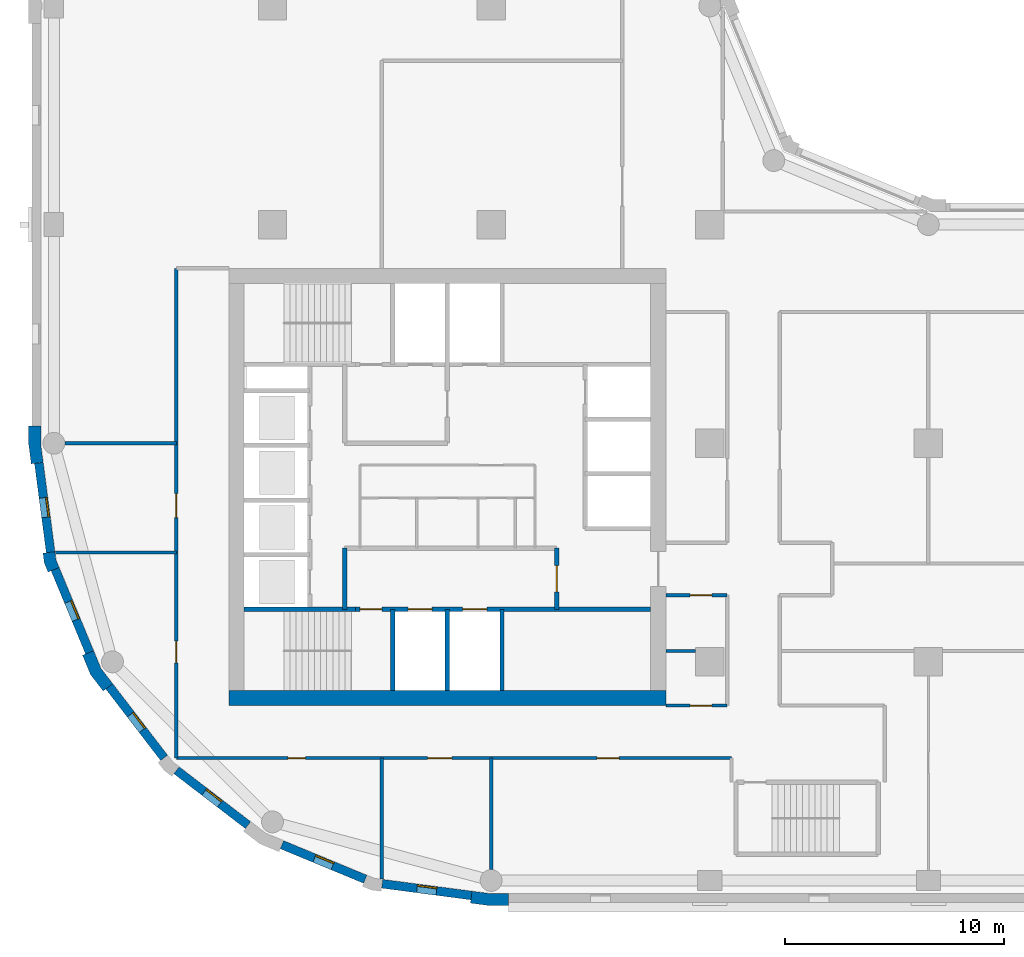
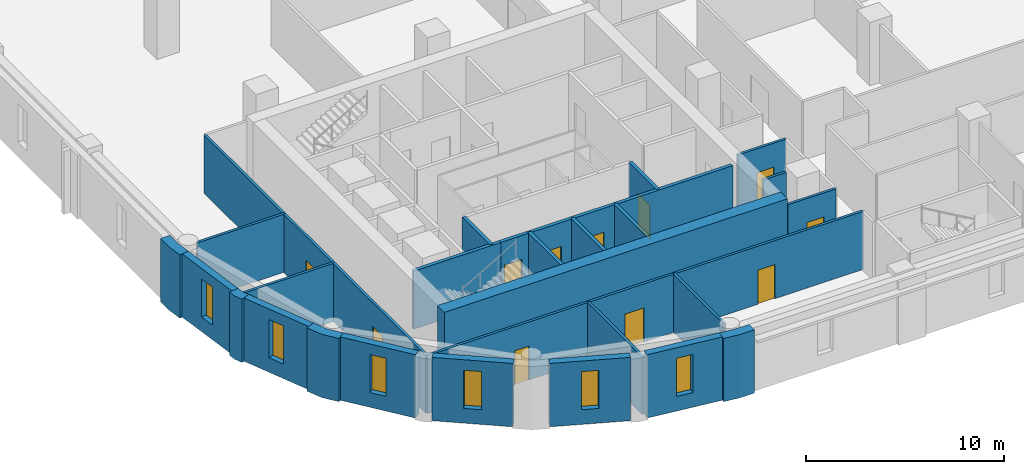
# One storey, part 2 of 9: 27 walls, 11 doors, 6 windows, 17 openings.
"""IFC4 building model written with IfcOpenShell, lengths in metres."""

from ifc_helpers import new_model, si_unit, direction, frame, frame_2d, origin, place, context, subcontext, project, spatial, polyline, rectangle, outline, extrude, material, layer, layer_set, type_object, element, fill, save


model = new_model("IFC4")

# Units and contexts
model_context = context("Model", 3, precision=1e-05, world=origin(), true_north=direction((0.0, 1.0)))
body_context = subcontext(model_context, "Body", "Model", "MODEL_VIEW")
ifc_project = project(units=[si_unit("LENGTHUNIT", "METRE"), si_unit("AREAUNIT", "SQUARE_METRE"), si_unit("VOLUMEUNIT", "CUBIC_METRE"), si_unit("PLANEANGLEUNIT", "RADIAN"), si_unit("MASSUNIT", "GRAM", prefix="KILO")], contexts=[model_context])

# Site, building, storey
site_placement = place(None, origin())
site = spatial("IfcSite", under=ifc_project, at=site_placement, CompositionType="ELEMENT")
building_placement = place(site_placement, origin())
building = spatial("IfcBuilding", under=site, at=building_placement, Name="Qaws Garden Tower", CompositionType="ELEMENT")
storey_placement = place(building_placement, frame((0.0, 0.0, 198.0)))
storey = spatial("IfcBuildingStorey", under=building, at=storey_placement, Name="L48", CompositionType="ELEMENT", Elevation=198.0)

# Wall, opening, window
ifc_material_1 = material(Name="Clay facing brick masonry", Category="masonry")
ifc_layer_1 = layer(ifc_material_1, 0.39990234375)
ifc_layer_set_1 = layer_set([ifc_layer_1], Name="Clay facing brick masonry")
wall_type_1 = type_object("IfcWallType", Name="Brick infill wall 400", PredefinedType="SOLIDWALL", material=ifc_layer_set_1)
wall_1_placement = place(storey_placement, frame((-0.688720703125, 19.102294921875, 0.0), z_axis=(0.0, 0.0, 1.0), x_axis=(0.130514280502, -0.991446429508, 0.0)))
wall_1 = element("IfcWall", 1, at=wall_1_placement, inside=storey, type_object=wall_type_1, Name="E-L48-infill-25", PredefinedType="SOLIDWALL", context=body_context, shape_type="SweptSolid", body=[
    extrude(rectangle(XDim=4.120849609375, YDim=0.39990234375, at=frame_2d((2.060546875, 0.0))), origin(), (0.0, 0.0, 1.0), 3.89990234375),
])
opening_1_placement = place(wall_1_placement, frame((1.610595703125, 0.0, 0.89990234375)))
opening_1 = element("IfcOpeningElement", 2, at=opening_1_placement, cuts=wall_1, Name="Opening W09", PredefinedType="OPENING", context=body_context, shape_type="SweptSolid", body=[
    extrude(rectangle(XDim=0.89990234375, YDim=2.35009765625, at=frame_2d((0.449951171875, 1.175048828125))), frame((0.0, 0.2099609375, 0.0), z_axis=(0.0, -1.0, 0.0), x_axis=(1.0, 0.0, 0.0)), (0.0, 0.0, 1.0), 0.419921875),
])
ifc_material_2 = material(Name="Aluminium framed window, clear glazing", Category="aluminium")
window_type = type_object("IfcWindowType", Name="Slit window 900 x 2350", PartitioningType="SINGLE_PANEL", PredefinedType="WINDOW", material=ifc_material_2)
window_1_placement = place(opening_1_placement, origin())
window_1 = element("IfcWindow", 3, at=window_1_placement, inside=storey, type_object=window_type, Name="E-L48-window-25-0", OverallHeight=2.35009765625, OverallWidth=0.89990234375, PartitioningType="SINGLE_PANEL", PredefinedType="WINDOW", context=body_context, shape_type="SweptSolid", body=[
    extrude(rectangle(XDim=0.89990234375, YDim=2.35009765625, at=frame_2d((0.449951171875, 1.175048828125))), frame((0.0, 0.159912109375, 0.0), z_axis=(0.0, -1.0, 0.0), x_axis=(1.0, 0.0, 0.0)), (0.0, 0.0, 1.0), 0.06005859375),
])
fill(opening_1, window_1)

wall_2_placement = place(storey_placement, frame((0.05712890625, 14.240234375, 0.0), z_axis=(0.0, 0.0, 1.0), x_axis=(0.382721546029, -0.923863744394, 0.0)))
wall_2 = element("IfcWall", 4, at=wall_2_placement, inside=storey, type_object=wall_type_1, Name="E-L48-infill-26", PredefinedType="SOLIDWALL", context=body_context, shape_type="SweptSolid", body=[
    extrude(rectangle(XDim=4.120849609375, YDim=0.39990234375, at=frame_2d((2.060546875, 0.0))), origin(), (0.0, 0.0, 1.0), 3.89990234375),
])
opening_2_placement = place(wall_2_placement, frame((1.610595703125, 0.0, 0.89990234375)))
opening_2 = element("IfcOpeningElement", 5, at=opening_2_placement, cuts=wall_2, Name="Opening W09", PredefinedType="OPENING", context=body_context, shape_type="SweptSolid", body=[
    extrude(rectangle(XDim=0.89990234375, YDim=2.35009765625, at=frame_2d((0.449951171875, 1.175048828125))), frame((0.0, 0.2099609375, 0.0), z_axis=(0.0, -1.0, 0.0), x_axis=(1.0, 0.0, 0.0)), (0.0, 0.0, 1.0), 0.419921875),
])
window_2_placement = place(opening_2_placement, origin())
window_2 = element("IfcWindow", 6, at=window_2_placement, inside=storey, type_object=window_type, Name="E-L48-window-26-0", OverallHeight=2.35009765625, OverallWidth=0.89990234375, PartitioningType="SINGLE_PANEL", PredefinedType="WINDOW", context=body_context, shape_type="SweptSolid", body=[
    extrude(rectangle(XDim=0.89990234375, YDim=2.35009765625, at=frame_2d((0.449951171875, 1.175048828125))), frame((0.0, 0.159912109375, 0.0), z_axis=(0.0, -1.0, 0.0), x_axis=(1.0, 0.0, 0.0)), (0.0, 0.0, 1.0), 0.06005859375),
])
fill(opening_2, window_2)

wall_3_placement = place(storey_placement, frame((2.53173828125, 8.87841796875, 0.0), z_axis=(0.0, 0.0, 1.0), x_axis=(0.608759824817, -0.793354571229, 0.0)))
wall_3 = element("IfcWall", 7, at=wall_3_placement, inside=storey, type_object=wall_type_1, Name="E-L48-infill-27", PredefinedType="SOLIDWALL", context=body_context, shape_type="SweptSolid", body=[
    extrude(rectangle(XDim=4.12109375, YDim=0.39990234375, at=frame_2d((2.060546875, 0.0))), origin(), (0.0, 0.0, 1.0), 3.89990234375),
])
opening_3_placement = place(wall_3_placement, frame((1.610595703125, 0.0, 0.89990234375)))
opening_3 = element("IfcOpeningElement", 8, at=opening_3_placement, cuts=wall_3, Name="Opening W09", PredefinedType="OPENING", context=body_context, shape_type="SweptSolid", body=[
    extrude(rectangle(XDim=0.89990234375, YDim=2.35009765625, at=frame_2d((0.449951171875, 1.175048828125))), frame((0.0, 0.2099609375, 0.0), z_axis=(0.0, -1.0, 0.0), x_axis=(1.0, 0.0, 0.0)), (0.0, 0.0, 1.0), 0.419921875),
])
window_3_placement = place(opening_3_placement, origin())
window_3 = element("IfcWindow", 9, at=window_3_placement, inside=storey, type_object=window_type, Name="E-L48-window-27-0", OverallHeight=2.35009765625, OverallWidth=0.89990234375, PartitioningType="SINGLE_PANEL", PredefinedType="WINDOW", context=body_context, shape_type="SweptSolid", body=[
    extrude(rectangle(XDim=0.89990234375, YDim=2.35009765625, at=frame_2d((0.449951171875, 1.175048828125))), frame((0.0, 0.159912109375, 0.0), z_axis=(0.0, -1.0, 0.0), x_axis=(1.0, 0.0, 0.0)), (0.0, 0.0, 1.0), 0.06005859375),
])
fill(opening_3, window_3)

wall_4_placement = place(storey_placement, frame((5.60888671875, 5.04052734375, 0.0), z_axis=(0.0, 0.0, 1.0), x_axis=(0.793354571229, -0.608759824817, 0.0)))
wall_4 = element("IfcWall", 10, at=wall_4_placement, inside=storey, type_object=wall_type_1, Name="E-L48-infill-28", PredefinedType="SOLIDWALL", context=body_context, shape_type="SweptSolid", body=[
    extrude(rectangle(XDim=4.12109375, YDim=0.39990234375, at=frame_2d((2.060546875, 0.0))), origin(), (0.0, 0.0, 1.0), 3.89990234375),
])
opening_4_placement = place(wall_4_placement, frame((1.610595703125, 0.0, 0.89990234375)))
opening_4 = element("IfcOpeningElement", 11, at=opening_4_placement, cuts=wall_4, Name="Opening W09", PredefinedType="OPENING", context=body_context, shape_type="SweptSolid", body=[
    extrude(rectangle(XDim=0.89990234375, YDim=2.35009765625, at=frame_2d((0.449951171875, 1.175048828125))), frame((0.0, 0.2099609375, 0.0), z_axis=(0.0, -1.0, 0.0), x_axis=(1.0, 0.0, 0.0)), (0.0, 0.0, 1.0), 0.419921875),
])
window_4_placement = place(opening_4_placement, origin())
window_4 = element("IfcWindow", 12, at=window_4_placement, inside=storey, type_object=window_type, Name="E-L48-window-28-0", OverallHeight=2.35009765625, OverallWidth=0.89990234375, PartitioningType="SINGLE_PANEL", PredefinedType="WINDOW", context=body_context, shape_type="SweptSolid", body=[
    extrude(rectangle(XDim=0.89990234375, YDim=2.35009765625, at=frame_2d((0.449951171875, 1.175048828125))), frame((0.0, 0.159912109375, 0.0), z_axis=(0.0, -1.0, 0.0), x_axis=(1.0, 0.0, 0.0)), (0.0, 0.0, 1.0), 0.06005859375),
])
fill(opening_4, window_4)

wall_5_placement = place(storey_placement, frame((10.43310546875, 1.63427734375, 0.0), z_axis=(0.0, 0.0, 1.0), x_axis=(0.923863744394, -0.382721546029, 0.0)))
wall_5 = element("IfcWall", 13, at=wall_5_placement, inside=storey, type_object=wall_type_1, Name="E-L48-infill-29", PredefinedType="SOLIDWALL", context=body_context, shape_type="SweptSolid", body=[
    extrude(rectangle(XDim=4.120849609375, YDim=0.39990234375, at=frame_2d((2.060546875, 0.0))), origin(), (0.0, 0.0, 1.0), 3.89990234375),
])
opening_5_placement = place(wall_5_placement, frame((1.610595703125, 0.0, 0.89990234375)))
opening_5 = element("IfcOpeningElement", 14, at=opening_5_placement, cuts=wall_5, Name="Opening W09", PredefinedType="OPENING", context=body_context, shape_type="SweptSolid", body=[
    extrude(rectangle(XDim=0.89990234375, YDim=2.35009765625, at=frame_2d((0.449951171875, 1.175048828125))), frame((0.0, 0.2099609375, 0.0), z_axis=(0.0, -1.0, 0.0), x_axis=(1.0, 0.0, 0.0)), (0.0, 0.0, 1.0), 0.419921875),
])
window_5_placement = place(opening_5_placement, origin())
window_5 = element("IfcWindow", 15, at=window_5_placement, inside=storey, type_object=window_type, Name="E-L48-window-29-0", OverallHeight=2.35009765625, OverallWidth=0.89990234375, PartitioningType="SINGLE_PANEL", PredefinedType="WINDOW", context=body_context, shape_type="SweptSolid", body=[
    extrude(rectangle(XDim=0.89990234375, YDim=2.35009765625, at=frame_2d((0.449951171875, 1.175048828125))), frame((0.0, 0.159912109375, 0.0), z_axis=(0.0, -1.0, 0.0), x_axis=(1.0, 0.0, 0.0)), (0.0, 0.0, 1.0), 0.06005859375),
])
fill(opening_5, window_5)

wall_6_placement = place(storey_placement, frame((15.0166015625, -0.15087890625, 0.0), z_axis=(0.0, 0.0, 1.0), x_axis=(0.991446429508, -0.130514280502, 0.0)))
wall_6 = element("IfcWall", 16, at=wall_6_placement, inside=storey, type_object=wall_type_1, Name="E-L48-infill-30", PredefinedType="SOLIDWALL", context=body_context, shape_type="SweptSolid", body=[
    extrude(rectangle(XDim=4.120849609375, YDim=0.39990234375, at=frame_2d((2.060546875, 0.0))), origin(), (0.0, 0.0, 1.0), 3.89990234375),
])
opening_6_placement = place(wall_6_placement, frame((1.610595703125, 0.0, 0.89990234375)))
opening_6 = element("IfcOpeningElement", 17, at=opening_6_placement, cuts=wall_6, Name="Opening W09", PredefinedType="OPENING", context=body_context, shape_type="SweptSolid", body=[
    extrude(rectangle(XDim=0.89990234375, YDim=2.35009765625, at=frame_2d((0.449951171875, 1.175048828125))), frame((0.0, 0.2099609375, 0.0), z_axis=(0.0, -1.0, 0.0), x_axis=(1.0, 0.0, 0.0)), (0.0, 0.0, 1.0), 0.419921875),
])
window_6_placement = place(opening_6_placement, origin())
window_6 = element("IfcWindow", 18, at=window_6_placement, inside=storey, type_object=window_type, Name="E-L48-window-30-0", OverallHeight=2.35009765625, OverallWidth=0.89990234375, PartitioningType="SINGLE_PANEL", PredefinedType="WINDOW", context=body_context, shape_type="SweptSolid", body=[
    extrude(rectangle(XDim=0.89990234375, YDim=2.35009765625, at=frame_2d((0.449951171875, 1.175048828125))), frame((0.0, 0.159912109375, 0.0), z_axis=(0.0, -1.0, 0.0), x_axis=(1.0, 0.0, 0.0)), (0.0, 0.0, 1.0), 0.06005859375),
])
fill(opening_6, window_6)

# Walls
ifc_material_3 = material(Name="Clay facing brick masonry", Category="masonry")
ifc_layer_2 = layer(ifc_material_3, 0.550048828125)
ifc_layer_set_2 = layer_set([ifc_layer_2], Name="Clay facing brick masonry")
wall_type_2 = type_object("IfcWallType", Name="Brick kink pier 550 x 600", PredefinedType="SOLIDWALL", material=ifc_layer_set_2)
placement = place(storey_placement, origin())
element("IfcWall", 19, at=placement, inside=storey, type_object=wall_type_2, Name="E-L48-pier-26", PredefinedType="SOLIDWALL", context=body_context, shape_type="SweptSolid", body=[
    extrude(outline(polyline([(-0.34912109375, 14.990478515625), (-0.497802734375, 14.970947265625), (-0.43896484375, 14.5234375), (-0.26611328125, 14.1064453125), (-0.127685546875, 14.163818359375), (0.241943359375, 14.31689453125), (0.096923828125, 14.6669921875), (0.04736328125, 15.042724609375), (-0.34912109375, 14.990478515625)])), origin(), (0.0, 0.0, 1.0), 3.89990234375),
])
ifc_material_4 = material(Name="Clay facing brick masonry", Category="masonry")
ifc_layer_3 = layer(ifc_material_4, 0.550048828125)
ifc_layer_set_3 = layer_set([ifc_layer_3], Name="Clay facing brick masonry")
wall_type_3 = type_object("IfcWallType", Name="Brick pier 550 x 1600", PredefinedType="SOLIDWALL", material=ifc_layer_set_3)
element("IfcWall", 20, at=placement, inside=storey, type_object=wall_type_3, Name="E-L48-pier-00", PredefinedType="SOLIDWALL", context=body_context, shape_type="SweptSolid", body=[
    extrude(outline(polyline([(19.076416015625, -0.886962890625), (19.056640625, -1.03564453125), (19.924560546875, -1.14990234375), (20.800048828125, -1.14990234375), (20.800048828125, -1.0), (20.800048828125, -0.60009765625), (19.960693359375, -0.60009765625), (19.12841796875, -0.490478515625), (19.076416015625, -0.886962890625)])), origin(), (0.0, 0.0, 1.0), 3.89990234375),
])
element("IfcWall", 21, at=placement, inside=storey, type_object=wall_type_3, Name="E-L48-pier-25", PredefinedType="SOLIDWALL", context=body_context, shape_type="SweptSolid", body=[
    extrude(outline(polyline([(-1.0, 20.800048828125), (-1.14990234375, 20.800048828125), (-1.14990234375, 19.924560546875), (-1.03564453125, 19.056640625), (-0.886962890625, 19.076416015625), (-0.490478515625, 19.12841796875), (-0.60009765625, 19.960693359375), (-0.60009765625, 20.800048828125), (-1.0, 20.800048828125)])), origin(), (0.0, 0.0, 1.0), 3.89990234375),
])
element("IfcWall", 22, at=placement, inside=storey, type_object=wall_type_3, Name="E-L48-pier-27", PredefinedType="SOLIDWALL", context=body_context, shape_type="SweptSolid", body=[
    extrude(outline(polyline([(1.449462890625, 10.3564453125), (1.310791015625, 10.299072265625), (1.675048828125, 9.419921875), (2.254150390625, 8.665283203125), (2.373046875, 8.756591796875), (2.6904296875, 9.0), (2.1552734375, 9.697509765625), (1.819091796875, 10.509521484375), (1.449462890625, 10.3564453125)])), origin(), (0.0, 0.0, 1.0), 3.89990234375),
])
ifc_material_5 = material(Name="Concrete C70", Category="concrete")
ifc_layer_4 = layer(ifc_material_5, 0.199951171875)
ifc_layer_set_4 = layer_set([ifc_layer_4], Name="Concrete C70")
wall_type_4 = type_object("IfcWallType", Name="Core shaft wall 200 C70", PredefinedType="SHEAR", material=ifc_layer_set_4)
wall_11_placement = place(storey_placement, frame((8.699951171875, 12.39990234375, 0.0), z_axis=(0.0, 0.0, 1.0), x_axis=(1.0, 0.0, 0.0)))
element("IfcWall", 23, at=wall_11_placement, inside=storey, type_object=wall_type_4, Name="Shaft wall", PredefinedType="SHEAR", context=body_context, shape_type="SweptSolid", body=[
    extrude(rectangle(XDim=5.10009765625, YDim=0.199951171875, at=frame_2d((2.550048828125, 0.0))), origin(), (0.0, 0.0, 1.0), 3.580078125),
])

# Wall, openings, doors
wall_12_placement = place(storey_placement, frame((13.800048828125, 12.39990234375, 0.0), z_axis=(0.0, 0.0, 1.0), x_axis=(1.0, 0.0, 0.0)))
wall_12 = element("IfcWall", 24, at=wall_12_placement, inside=storey, type_object=wall_type_4, Name="Shaft wall", PredefinedType="SHEAR", context=body_context, shape_type="SweptSolid", body=[
    extrude(rectangle(XDim=13.5, YDim=0.199951171875, at=frame_2d((6.75, 0.0))), origin(), (0.0, 0.0, 1.0), 3.580078125),
])
opening_7_placement = place(wall_12_placement, frame((2.39990234375, 0.0, 0.0)))
opening_7 = element("IfcOpeningElement", 25, at=opening_7_placement, cuts=wall_12, Name="Opening LD06", PredefinedType="OPENING", context=body_context, shape_type="SweptSolid", body=[
    extrude(rectangle(XDim=1.10009765625, YDim=2.10009765625, at=frame_2d((0.550048828125, 1.050048828125))), frame((0.0, 0.10986328125, 0.0), z_axis=(0.0, -1.0, 0.0), x_axis=(1.0, 0.0, 0.0)), (0.0, 0.0, 1.0), 0.219970703125),
])
opening_8_placement = place(wall_12_placement, frame((4.89990234375, 0.0, 0.0)))
opening_8 = element("IfcOpeningElement", 26, at=opening_8_placement, cuts=wall_12, Name="Opening LD07", PredefinedType="OPENING", context=body_context, shape_type="SweptSolid", body=[
    extrude(rectangle(XDim=1.10009765625, YDim=2.10009765625, at=frame_2d((0.550048828125, 1.050048828125))), frame((0.0, 0.10986328125, 0.0), z_axis=(0.0, -1.0, 0.0), x_axis=(1.0, 0.0, 0.0)), (0.0, 0.0, 1.0), 0.219970703125),
])
opening_9_placement = place(wall_12_placement, frame((0.199951171875, 0.0, 0.0)))
opening_9 = element("IfcOpeningElement", 27, at=opening_9_placement, cuts=wall_12, Name="Opening SD10", PredefinedType="OPENING", context=body_context, shape_type="SweptSolid", body=[
    extrude(rectangle(XDim=1.0, YDim=2.10009765625, at=frame_2d((0.5, 1.050048828125))), frame((0.0, 0.10986328125, 0.0), z_axis=(0.0, -1.0, 0.0), x_axis=(1.0, 0.0, 0.0)), (0.0, 0.0, 1.0), 0.219970703125),
])
ifc_material_6 = material(Name="Steel S235", Category="steel")
door_type_1 = type_object("IfcDoorType", Name="Landing door 1100x2100", OperationType="DOUBLE_DOOR_SLIDING", PredefinedType="DOOR", material=ifc_material_6)
door_1_placement = place(opening_7_placement, origin())
door_1 = element("IfcDoor", 28, at=door_1_placement, inside=storey, type_object=door_type_1, Name="Lift FF1 landing door", OperationType="DOUBLE_DOOR_SLIDING", OverallHeight=2.10009765625, OverallWidth=1.10009765625, PredefinedType="DOOR", context=body_context, shape_type="SweptSolid", body=[
    extrude(rectangle(XDim=1.10009765625, YDim=2.10009765625, at=frame_2d((0.550048828125, 1.050048828125))), frame((0.0, 0.02490234375, 0.0), z_axis=(0.0, -1.0, 0.0), x_axis=(1.0, 0.0, 0.0)), (0.0, 0.0, 1.0), 0.050048828125),
])
fill(opening_7, door_1)
door_2_placement = place(opening_8_placement, origin())
door_2 = element("IfcDoor", 29, at=door_2_placement, inside=storey, type_object=door_type_1, Name="Lift FF2 landing door", OperationType="DOUBLE_DOOR_SLIDING", OverallHeight=2.10009765625, OverallWidth=1.10009765625, PredefinedType="DOOR", context=body_context, shape_type="SweptSolid", body=[
    extrude(rectangle(XDim=1.10009765625, YDim=2.10009765625, at=frame_2d((0.550048828125, 1.050048828125))), frame((0.0, 0.02490234375, 0.0), z_axis=(0.0, -1.0, 0.0), x_axis=(1.0, 0.0, 0.0)), (0.0, 0.0, 1.0), 0.050048828125),
])
fill(opening_8, door_2)
ifc_material_7 = material(Name="Steel S235", Category="steel")
door_type_2 = type_object("IfcDoorType", Name="Stair door 1000x2100", OperationType="SINGLE_SWING_RIGHT", PredefinedType="DOOR", material=ifc_material_7)
door_3_placement = place(opening_9_placement, frame((1.0, 0.0, 0.0), z_axis=(0.0, 0.0, 1.0), x_axis=(-1.0, 0.0, 0.0)))
door_3 = element("IfcDoor", 30, at=door_3_placement, inside=storey, type_object=door_type_2, Name="Stair 1 door", OperationType="SINGLE_SWING_LEFT", OverallHeight=2.10009765625, OverallWidth=1.0, PredefinedType="DOOR", context=body_context, shape_type="SweptSolid", body=[
    extrude(rectangle(XDim=1.0, YDim=2.10009765625, at=frame_2d((0.5, 1.050048828125))), frame((0.0, 0.02490234375, 0.0), z_axis=(0.0, -1.0, 0.0), x_axis=(1.0, 0.0, 0.0)), (0.0, 0.0, 1.0), 0.050048828125),
])
fill(opening_9, door_3)

# Walls
wall_13_placement = place(storey_placement, frame((13.300048828125, 12.39990234375, 0.0), z_axis=(0.0, 0.0, 1.0), x_axis=(0.0, 1.0, 0.0)))
element("IfcWall", 31, at=wall_13_placement, inside=storey, type_object=wall_type_4, Name="Shaft wall", PredefinedType="SHEAR", context=body_context, shape_type="SweptSolid", body=[
    extrude(rectangle(XDim=2.800048828125, YDim=0.199951171875, at=frame_2d((1.39990234375, 0.0))), origin(), (0.0, 0.0, 1.0), 3.580078125),
])
for number, where, z_axis, x_axis, name in (
    (32, (15.5, 8.699951171875, 0.0), (0.0, 0.0, 1.0), (0.0, 1.0, 0.0), "Shaft wall"),
    (33, (18.0, 8.699951171875, 0.0), (0.0, 0.0, 1.0), (0.0, 1.0, 0.0), "Shaft wall"),
    (34, (20.5, 8.699951171875, 0.0), (0.0, 0.0, 1.0), (0.0, 1.0, 0.0), "Shaft wall"),
):
    element("IfcWall", number, at=place(storey_placement, frame(where, z_axis=z_axis, x_axis=x_axis)), inside=storey, type_object=wall_type_4, Name=name, PredefinedType="SHEAR", context=body_context, shape_type="SweptSolid", body=[
        extrude(rectangle(XDim=3.699951171875, YDim=0.199951171875, at=frame_2d((1.85009765625, 0.0))), origin(), (0.0, 0.0, 1.0), 3.580078125),
    ])

# Wall, opening, door
wall_14_placement = place(storey_placement, frame((23.0, 12.39990234375, 0.0), z_axis=(0.0, 0.0, 1.0), x_axis=(0.0, 1.0, 0.0)))
wall_14 = element("IfcWall", 35, at=wall_14_placement, inside=storey, type_object=wall_type_4, Name="Shaft wall", PredefinedType="SHEAR", context=body_context, shape_type="SweptSolid", body=[
    extrude(rectangle(XDim=2.800048828125, YDim=0.199951171875, at=frame_2d((1.39990234375, 0.0))), origin(), (0.0, 0.0, 1.0), 3.580078125),
])
opening_10_placement = place(wall_14_placement, frame((0.800048828125, 0.0, 0.0)))
opening_10 = element("IfcOpeningElement", 36, at=opening_10_placement, cuts=wall_14, Name="Opening FD15", PredefinedType="OPENING", context=body_context, shape_type="SweptSolid", body=[
    extrude(rectangle(XDim=1.199951171875, YDim=2.10009765625, at=frame_2d((0.60009765625, 1.050048828125))), frame((0.0, 0.10986328125, 0.0), z_axis=(0.0, -1.0, 0.0), x_axis=(1.0, 0.0, 0.0)), (0.0, 0.0, 1.0), 0.219970703125),
])
ifc_material_8 = material(Name="Steel S235", Category="steel")
door_type_3 = type_object("IfcDoorType", Name="Lobby door 1200x2100", OperationType="DOUBLE_DOOR_SINGLE_SWING", PredefinedType="DOOR", material=ifc_material_8)
door_4_placement = place(opening_10_placement, origin())
door_4 = element("IfcDoor", 37, at=door_4_placement, inside=storey, type_object=door_type_3, Name="Fire-fighting lobby door", OperationType="DOUBLE_DOOR_SINGLE_SWING", OverallHeight=2.10009765625, OverallWidth=1.199951171875, PredefinedType="DOOR", context=body_context, shape_type="SweptSolid", body=[
    extrude(rectangle(XDim=1.199951171875, YDim=2.10009765625, at=frame_2d((0.60009765625, 1.050048828125))), frame((0.0, 0.02490234375, 0.0), z_axis=(0.0, -1.0, 0.0), x_axis=(1.0, 0.0, 0.0)), (0.0, 0.0, 1.0), 0.050048828125),
])
fill(opening_10, door_4)

# Wall
ifc_material_9 = material(Name="Concrete C70", Category="concrete")
ifc_layer_5 = layer(ifc_material_9, 0.699951171875)
ifc_layer_set_5 = layer_set([ifc_layer_5], Name="Concrete C70")
wall_type_5 = type_object("IfcWallType", Name="Core wall 700 C70", PredefinedType="SHEAR", material=ifc_layer_set_5)
wall_15_placement = place(storey_placement, frame((8.0, 8.35009765625, 0.0), z_axis=(0.0, 0.0, 1.0), x_axis=(1.0, 0.0, 0.0)))
element("IfcWall", 38, at=wall_15_placement, inside=storey, type_object=wall_type_5, Name="Core wall L48 south", PredefinedType="SHEAR", context=body_context, shape_type="SweptSolid", body=[
    extrude(rectangle(XDim=20.0, YDim=0.699951171875, at=frame_2d((10.0, 0.0))), origin(), (0.0, 0.0, 1.0), 3.89990234375),
])

# Wall, openings, doors
ifc_material_10 = material(Name="Gypsum board partition")
ifc_layer_6 = layer(ifc_material_10, 0.14990234375)
ifc_layer_set_6 = layer_set([ifc_layer_6], Name="Gypsum board partition")
wall_type_6 = type_object("IfcWallType", Name="PARTITION 150 EI 60", PredefinedType="PARTITIONING", material=ifc_layer_set_6)
wall_16_placement = place(storey_placement, frame((5.60009765625, 5.60009765625, 0.0), z_axis=(0.0, 0.0, 1.0), x_axis=(0.0, 1.0, 0.0)))
wall_16 = element("IfcWall", 39, at=wall_16_placement, inside=storey, type_object=wall_type_6, Name="O-L48-wall-004", PredefinedType="PARTITIONING", context=body_context, shape_type="SweptSolid", body=[
    extrude(rectangle(XDim=22.39990234375, YDim=0.14990234375, at=frame_2d((11.199951171875, 0.0))), origin(), (0.0, 0.0, 1.0), 3.580078125),
])
opening_11_placement = place(wall_16_placement, frame((4.35009765625, 0.0, 0.0)))
opening_11 = element("IfcOpeningElement", 40, at=opening_11_placement, cuts=wall_16, Name="Opening B601", PredefinedType="OPENING", context=body_context, shape_type="SweptSolid", body=[
    extrude(rectangle(XDim=1.0, YDim=2.10009765625, at=frame_2d((0.5, 1.050048828125))), frame((0.0, 0.0849609375, 0.0), z_axis=(0.0, -1.0, 0.0), x_axis=(1.0, 0.0, 0.0)), (0.0, 0.0, 1.0), 0.169921875),
])
opening_12_placement = place(wall_16_placement, frame((11.0, 0.0, 0.0)))
opening_12 = element("IfcOpeningElement", 41, at=opening_12_placement, cuts=wall_16, Name="Opening B602", PredefinedType="OPENING", context=body_context, shape_type="SweptSolid", body=[
    extrude(rectangle(XDim=1.10009765625, YDim=2.10009765625, at=frame_2d((0.550048828125, 1.050048828125))), frame((0.0, 0.0849609375, 0.0), z_axis=(0.0, -1.0, 0.0), x_axis=(1.0, 0.0, 0.0)), (0.0, 0.0, 1.0), 0.169921875),
])
ifc_material_11 = material(Name="Timber door leaf", Category="wood")
door_type_4 = type_object("IfcDoorType", Name="SERVICE ROOM DOOR 1100 X 2100", OperationType="SINGLE_SWING_LEFT", PredefinedType="DOOR", material=ifc_material_11)
door_5_placement = place(opening_12_placement, origin())
door_5 = element("IfcDoor", 42, at=door_5_placement, inside=storey, type_object=door_type_4, Name="O-L48-door-002", OperationType="SINGLE_SWING_RIGHT", OverallHeight=2.10009765625, OverallWidth=1.10009765625, PredefinedType="DOOR", context=body_context, shape_type="SweptSolid", body=[
    extrude(rectangle(XDim=1.10009765625, YDim=2.10009765625, at=frame_2d((0.550048828125, 1.050048828125))), frame((0.0, 0.02490234375, 0.0), z_axis=(0.0, -1.0, 0.0), x_axis=(1.0, 0.0, 0.0)), (0.0, 0.0, 1.0), 0.050048828125),
])
fill(opening_12, door_5)
ifc_material_12 = material(Name="Timber door leaf", Category="wood")
door_type_5 = type_object("IfcDoorType", Name="TENANCY ENTRANCE DOOR 1000 X 2100", OperationType="SINGLE_SWING_LEFT", PredefinedType="DOOR", material=ifc_material_12)
door_6_placement = place(opening_11_placement, origin())
door_6 = element("IfcDoor", 43, at=door_6_placement, inside=storey, type_object=door_type_5, Name="O-L48-door-001", OperationType="SINGLE_SWING_RIGHT", OverallHeight=2.10009765625, OverallWidth=1.0, PredefinedType="DOOR", context=body_context, shape_type="SweptSolid", body=[
    extrude(rectangle(XDim=1.0, YDim=2.10009765625, at=frame_2d((0.5, 1.050048828125))), frame((0.0, 0.02490234375, 0.0), z_axis=(0.0, -1.0, 0.0), x_axis=(1.0, 0.0, 0.0)), (0.0, 0.0, 1.0), 0.050048828125),
])
fill(opening_11, door_6)

# Walls
wall_17_placement = place(storey_placement, frame((15.0, 0.06298828125, 0.0), z_axis=(0.0, 0.0, 1.0), x_axis=(0.0, 1.0, 0.0)))
element("IfcWall", 44, at=wall_17_placement, inside=storey, type_object=wall_type_6, Name="O-L48-wall-007", PredefinedType="PARTITIONING", context=body_context, shape_type="SweptSolid", body=[
    extrude(rectangle(XDim=5.537109375, YDim=0.14990234375, at=frame_2d((2.7685546875, 0.0))), origin(), (0.0, 0.0, 1.0), 3.580078125),
])
wall_18_placement = place(storey_placement, frame((20.0, 0.5, 0.0), z_axis=(0.0, 0.0, 1.0), x_axis=(0.0, 1.0, 0.0)))
element("IfcWall", 45, at=wall_18_placement, inside=storey, type_object=wall_type_6, Name="O-L48-wall-011", PredefinedType="PARTITIONING", context=body_context, shape_type="SweptSolid", body=[
    extrude(rectangle(XDim=5.10009765625, YDim=0.14990234375, at=frame_2d((2.550048828125, 0.0))), origin(), (0.0, 0.0, 1.0), 3.580078125),
])

# Wall, openings, doors
wall_19_placement = place(storey_placement, frame((5.60009765625, 5.60009765625, 0.0), z_axis=(0.0, 0.0, 1.0), x_axis=(1.0, 0.0, 0.0)))
wall_19 = element("IfcWall", 46, at=wall_19_placement, inside=storey, type_object=wall_type_6, Name="O-L48-wall-027", PredefinedType="PARTITIONING", context=body_context, shape_type="SweptSolid", body=[
    extrude(rectangle(XDim=25.39990234375, YDim=0.14990234375, at=frame_2d((12.699951171875, 0.0))), origin(), (0.0, 0.0, 1.0), 3.580078125),
])
opening_13_placement = place(wall_19_placement, frame((5.10009765625, 0.0, 0.0)))
opening_13 = element("IfcOpeningElement", 47, at=opening_13_placement, cuts=wall_19, Name="Opening B611", PredefinedType="OPENING", context=body_context, shape_type="SweptSolid", body=[
    extrude(rectangle(XDim=0.800048828125, YDim=2.10009765625, at=frame_2d((0.39990234375, 1.050048828125))), frame((0.0, 0.0849609375, 0.0), z_axis=(0.0, -1.0, 0.0), x_axis=(1.0, 0.0, 0.0)), (0.0, 0.0, 1.0), 0.169921875),
])
opening_14_placement = place(wall_19_placement, frame((11.5, 0.0, 0.0)))
opening_14 = element("IfcOpeningElement", 48, at=opening_14_placement, cuts=wall_19, Name="Opening B614", PredefinedType="OPENING", context=body_context, shape_type="SweptSolid", body=[
    extrude(rectangle(XDim=1.10009765625, YDim=2.10009765625, at=frame_2d((0.550048828125, 1.050048828125))), frame((0.0, 0.0849609375, 0.0), z_axis=(0.0, -1.0, 0.0), x_axis=(1.0, 0.0, 0.0)), (0.0, 0.0, 1.0), 0.169921875),
])
opening_15_placement = place(wall_19_placement, frame((19.25, 0.0, 0.0)))
opening_15 = element("IfcOpeningElement", 49, at=opening_15_placement, cuts=wall_19, Name="Opening B620", PredefinedType="OPENING", context=body_context, shape_type="SweptSolid", body=[
    extrude(rectangle(XDim=1.0, YDim=2.10009765625, at=frame_2d((0.5, 1.050048828125))), frame((0.0, 0.0849609375, 0.0), z_axis=(0.0, -1.0, 0.0), x_axis=(1.0, 0.0, 0.0)), (0.0, 0.0, 1.0), 0.169921875),
])
door_7_placement = place(opening_14_placement, frame((1.10009765625, 0.0, 0.0), z_axis=(0.0, 0.0, 1.0), x_axis=(-1.0, 0.0, 0.0)))
door_7 = element("IfcDoor", 50, at=door_7_placement, inside=storey, type_object=door_type_4, Name="O-L48-door-014", OperationType="SINGLE_SWING_LEFT", OverallHeight=2.10009765625, OverallWidth=1.10009765625, PredefinedType="DOOR", context=body_context, shape_type="SweptSolid", body=[
    extrude(rectangle(XDim=1.10009765625, YDim=2.10009765625, at=frame_2d((0.550048828125, 1.050048828125))), frame((0.0, 0.02490234375, 0.0), z_axis=(0.0, -1.0, 0.0), x_axis=(1.0, 0.0, 0.0)), (0.0, 0.0, 1.0), 0.050048828125),
])
fill(opening_14, door_7)
ifc_material_13 = material(Name="Timber door leaf", Category="wood")
door_type_6 = type_object("IfcDoorType", Name="STORE DOOR 800 X 2100", OperationType="SINGLE_SWING_LEFT", PredefinedType="DOOR", material=ifc_material_13)
door_8_placement = place(opening_13_placement, frame((0.800048828125, 0.0, 0.0), z_axis=(0.0, 0.0, 1.0), x_axis=(-1.0, 0.0, 0.0)))
door_8 = element("IfcDoor", 51, at=door_8_placement, inside=storey, type_object=door_type_6, Name="O-L48-door-011", OperationType="SINGLE_SWING_LEFT", OverallHeight=2.10009765625, OverallWidth=0.800048828125, PredefinedType="DOOR", context=body_context, shape_type="SweptSolid", body=[
    extrude(rectangle(XDim=0.800048828125, YDim=2.10009765625, at=frame_2d((0.39990234375, 1.050048828125))), frame((0.0, 0.02490234375, 0.0), z_axis=(0.0, -1.0, 0.0), x_axis=(1.0, 0.0, 0.0)), (0.0, 0.0, 1.0), 0.050048828125),
])
fill(opening_13, door_8)
door_9_placement = place(opening_15_placement, frame((1.0, 0.0, 0.0), z_axis=(0.0, 0.0, 1.0), x_axis=(-1.0, 0.0, 0.0)))
door_9 = element("IfcDoor", 52, at=door_9_placement, inside=storey, type_object=door_type_5, Name="O-L48-door-020", OperationType="SINGLE_SWING_LEFT", OverallHeight=2.10009765625, OverallWidth=1.0, PredefinedType="DOOR", context=body_context, shape_type="SweptSolid", body=[
    extrude(rectangle(XDim=1.0, YDim=2.10009765625, at=frame_2d((0.5, 1.050048828125))), frame((0.0, 0.02490234375, 0.0), z_axis=(0.0, -1.0, 0.0), x_axis=(1.0, 0.0, 0.0)), (0.0, 0.0, 1.0), 0.050048828125),
])
fill(opening_15, door_9)

# Wall, opening, door
wall_20_placement = place(storey_placement, frame((28.0, 8.0, 0.0), z_axis=(0.0, 0.0, 1.0), x_axis=(1.0, 0.0, 0.0)))
wall_20 = element("IfcWall", 53, at=wall_20_placement, inside=storey, type_object=wall_type_6, Name="O-L48-wall-028", PredefinedType="PARTITIONING", context=body_context, shape_type="SweptSolid", body=[
    extrude(rectangle(XDim=2.800048828125, YDim=0.14990234375, at=frame_2d((1.39990234375, 0.0))), origin(), (0.0, 0.0, 1.0), 3.580078125),
])
opening_16_placement = place(wall_20_placement, frame((1.10009765625, 0.0, 0.0)))
opening_16 = element("IfcOpeningElement", 54, at=opening_16_placement, cuts=wall_20, Name="Opening B603", PredefinedType="OPENING", context=body_context, shape_type="SweptSolid", body=[
    extrude(rectangle(XDim=1.0, YDim=2.10009765625, at=frame_2d((0.5, 1.050048828125))), frame((0.0, 0.0849609375, 0.0), z_axis=(0.0, -1.0, 0.0), x_axis=(1.0, 0.0, 0.0)), (0.0, 0.0, 1.0), 0.169921875),
])
door_10_placement = place(opening_16_placement, origin())
door_10 = element("IfcDoor", 55, at=door_10_placement, inside=storey, type_object=door_type_5, Name="O-L48-door-003", OperationType="SINGLE_SWING_RIGHT", OverallHeight=2.10009765625, OverallWidth=1.0, PredefinedType="DOOR", context=body_context, shape_type="SweptSolid", body=[
    extrude(rectangle(XDim=1.0, YDim=2.10009765625, at=frame_2d((0.5, 1.050048828125))), frame((0.0, 0.02490234375, 0.0), z_axis=(0.0, -1.0, 0.0), x_axis=(1.0, 0.0, 0.0)), (0.0, 0.0, 1.0), 0.050048828125),
])
fill(opening_16, door_10)

# Wall
wall_21_placement = place(storey_placement, frame((28.0, 10.5, 0.0), z_axis=(0.0, 0.0, 1.0), x_axis=(1.0, 0.0, 0.0)))
element("IfcWall", 56, at=wall_21_placement, inside=storey, type_object=wall_type_6, Name="O-L48-wall-030", PredefinedType="PARTITIONING", context=body_context, shape_type="SweptSolid", body=[
    extrude(rectangle(XDim=1.35009765625, YDim=0.14990234375, at=frame_2d((0.675048828125, 0.0))), origin(), (0.0, 0.0, 1.0), 3.580078125),
])

# Wall, opening, door
wall_22_placement = place(storey_placement, frame((28.0, 13.050048828125, 0.0), z_axis=(0.0, 0.0, 1.0), x_axis=(1.0, 0.0, 0.0)))
wall_22 = element("IfcWall", 57, at=wall_22_placement, inside=storey, type_object=wall_type_6, Name="O-L48-wall-033", PredefinedType="PARTITIONING", context=body_context, shape_type="SweptSolid", body=[
    extrude(rectangle(XDim=2.800048828125, YDim=0.14990234375, at=frame_2d((1.39990234375, 0.0))), origin(), (0.0, 0.0, 1.0), 3.580078125),
])
opening_17_placement = place(wall_22_placement, frame((1.10009765625, 0.0, 0.0)))
opening_17 = element("IfcOpeningElement", 58, at=opening_17_placement, cuts=wall_22, Name="Opening B619", PredefinedType="OPENING", context=body_context, shape_type="SweptSolid", body=[
    extrude(rectangle(XDim=1.0, YDim=2.10009765625, at=frame_2d((0.5, 1.050048828125))), frame((0.0, 0.0849609375, 0.0), z_axis=(0.0, -1.0, 0.0), x_axis=(1.0, 0.0, 0.0)), (0.0, 0.0, 1.0), 0.169921875),
])
door_11_placement = place(opening_17_placement, frame((1.0, 0.0, 0.0), z_axis=(0.0, 0.0, 1.0), x_axis=(-1.0, 0.0, 0.0)))
door_11 = element("IfcDoor", 59, at=door_11_placement, inside=storey, type_object=door_type_5, Name="O-L48-door-019", OperationType="SINGLE_SWING_LEFT", OverallHeight=2.10009765625, OverallWidth=1.0, PredefinedType="DOOR", context=body_context, shape_type="SweptSolid", body=[
    extrude(rectangle(XDim=1.0, YDim=2.10009765625, at=frame_2d((0.5, 1.050048828125))), frame((0.0, 0.02490234375, 0.0), z_axis=(0.0, -1.0, 0.0), x_axis=(1.0, 0.0, 0.0)), (0.0, 0.0, 1.0), 0.050048828125),
])
fill(opening_17, door_11)

# Walls
wall_23_placement = place(storey_placement, frame((0.06298828125, 15.0, 0.0), z_axis=(0.0, 0.0, 1.0), x_axis=(1.0, 0.0, 0.0)))
element("IfcWall", 60, at=wall_23_placement, inside=storey, type_object=wall_type_6, Name="O-L48-wall-036", PredefinedType="PARTITIONING", context=body_context, shape_type="SweptSolid", body=[
    extrude(rectangle(XDim=5.537109375, YDim=0.14990234375, at=frame_2d((2.7685546875, 0.0))), origin(), (0.0, 0.0, 1.0), 3.580078125),
])
wall_24_placement = place(storey_placement, frame((0.5, 20.0, 0.0), z_axis=(0.0, 0.0, 1.0), x_axis=(1.0, 0.0, 0.0)))
element("IfcWall", 61, at=wall_24_placement, inside=storey, type_object=wall_type_6, Name="O-L48-wall-039", PredefinedType="PARTITIONING", context=body_context, shape_type="SweptSolid", body=[
    extrude(rectangle(XDim=5.10009765625, YDim=0.14990234375, at=frame_2d((2.550048828125, 0.0))), origin(), (0.0, 0.0, 1.0), 3.580078125),
])

save(model, "model.ifc")
